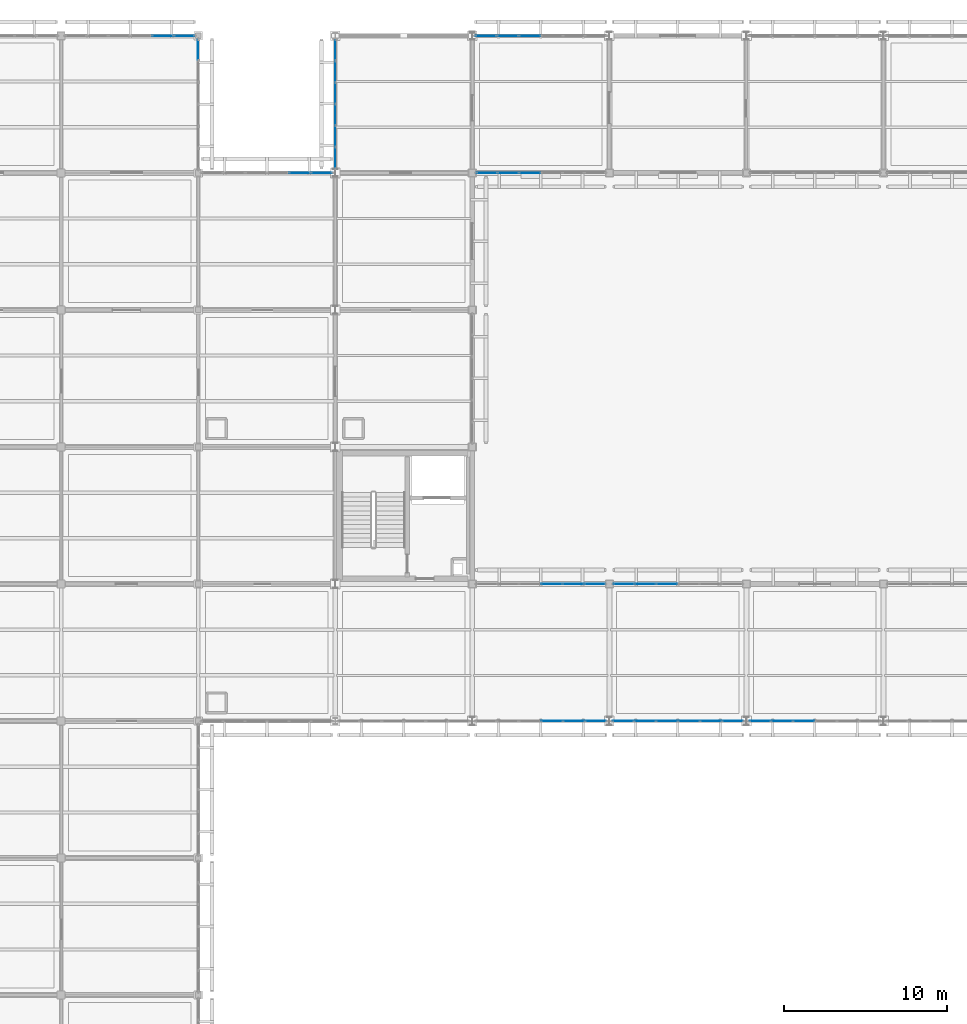
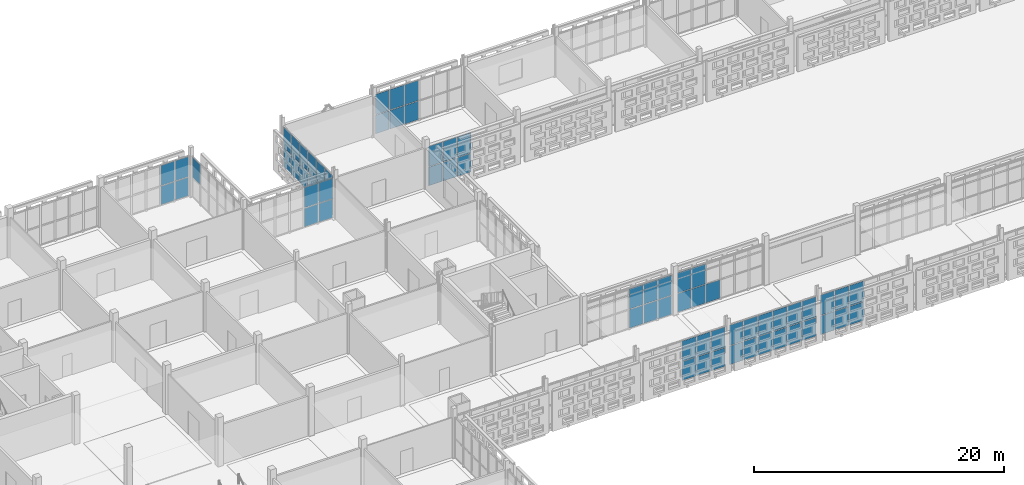
# One storey, part 97 of 203: 68 plates, 11 elements without a shape of their own.
"""IFC4 building model written with IfcOpenShell, lengths in metres."""

from ifc_helpers import new_model, si_unit, direction, frame, origin, origin_2d, place, context, subcontext, project, spatial, rectangle, extrude, material, layer, layer_set, type_object, element, aggregate, save


model = new_model("IFC4")

# Units and contexts
model_context = context("Model", 3, precision=1e-05, world=origin(), true_north=direction((0.0, 1.0)))
body_context = subcontext(model_context, "Body", "Model", "MODEL_VIEW")
ifc_project = project(units=[si_unit("LENGTHUNIT", "METRE"), si_unit("AREAUNIT", "SQUARE_METRE"), si_unit("VOLUMEUNIT", "CUBIC_METRE"), si_unit("PLANEANGLEUNIT", "RADIAN"), si_unit("MASSUNIT", "GRAM", prefix="KILO")], contexts=[model_context])

# Site, building, storey
site_placement = place(None, origin())
site = spatial("IfcSite", under=ifc_project, at=site_placement, CompositionType="ELEMENT")
building_placement = place(site_placement, origin())
building = spatial("IfcBuilding", under=site, at=building_placement, Name="Varnapada Polytechnic", CompositionType="ELEMENT")
storey_placement = place(building_placement, frame((0.0, 0.0, 4.800048828125)))
storey = spatial("IfcBuildingStorey", under=building, at=storey_placement, Name="L01", CompositionType="ELEMENT", Elevation=4.800048828125)

# Curtain wall, plates
ifc_material = material(Name="Double low-E laminated glass", Category="glass")
ifc_layer_1 = layer(ifc_material, 0.159912109375)
ifc_layer_set_1 = layer_set([ifc_layer_1], Name="Double low-E laminated glass")
curtain_wall_type_1 = type_object("IfcCurtainWallType", Name="Curtain Wall CW-02", PredefinedType="NOTDEFINED", material=ifc_layer_set_1)
curtain_wall_1_placement = place(storey_placement, origin())
curtain_wall_1 = element("IfcCurtainWall", 1, at=curtain_wall_1_placement, inside=storey, type_object=curtain_wall_type_1, Name="L01 unitised curtain wall CW-02 (54)", PredefinedType="NOTDEFINED")
ifc_layer_2 = layer(ifc_material, 0.028076171875)
ifc_layer_set_2 = layer_set([ifc_layer_2], Name="Double low-E laminated glass")
plate_type_1 = type_object("IfcPlateType", Name="Curtain Panel PNL-01", PredefinedType="CURTAIN_PANEL", material=ifc_layer_set_2)
plate_1_placement = place(storey_placement, frame((50.39990234375, 118.527587890625, 0.06005859375), z_axis=(0.0, 0.0, 1.0), x_axis=(0.0, 1.0, 0.0)))
plate_1 = element("IfcPlate", 2, at=plate_1_placement, type_object=plate_type_1, Name="CW-02 panel 1.1", PredefinedType="CURTAIN_PANEL", context=body_context, shape_type="SweptSolid", body=[
    extrude(rectangle(XDim=1.235107421875, YDim=0.028076171875, at=origin_2d()), origin(), (0.0, 0.0, 1.0), 1.810791015625),
])
plate_2_placement = place(storey_placement, frame((50.39990234375, 118.527587890625, 1.9306640625), z_axis=(0.0, 0.0, 1.0), x_axis=(0.0, 1.0, 0.0)))
plate_2 = element("IfcPlate", 3, at=plate_2_placement, type_object=plate_type_1, Name="CW-02 panel 1.2", PredefinedType="CURTAIN_PANEL", context=body_context, shape_type="SweptSolid", body=[
    extrude(rectangle(XDim=1.235107421875, YDim=0.028076171875, at=origin_2d()), origin(), (0.0, 0.0, 1.0), 1.96923828125),
])
plate_3_placement = place(storey_placement, frame((50.39990234375, 119.83740234375, 0.06005859375), z_axis=(0.0, 0.0, 1.0), x_axis=(0.0, 1.0, 0.0)))
plate_3 = element("IfcPlate", 4, at=plate_3_placement, type_object=plate_type_1, Name="CW-02 panel 2.1", PredefinedType="CURTAIN_PANEL", context=body_context, shape_type="SweptSolid", body=[
    extrude(rectangle(XDim=1.264892578125, YDim=0.028076171875, at=origin_2d()), origin(), (0.0, 0.0, 1.0), 1.810791015625),
])
plate_4_placement = place(storey_placement, frame((50.39990234375, 119.83740234375, 1.9306640625), z_axis=(0.0, 0.0, 1.0), x_axis=(0.0, 1.0, 0.0)))
plate_4 = element("IfcPlate", 5, at=plate_4_placement, type_object=plate_type_1, Name="CW-02 panel 2.2", PredefinedType="CURTAIN_PANEL", context=body_context, shape_type="SweptSolid", body=[
    extrude(rectangle(XDim=1.264892578125, YDim=0.028076171875, at=origin_2d()), origin(), (0.0, 0.0, 1.0), 1.96923828125),
])
plate_5_placement = place(storey_placement, frame((50.39990234375, 121.16259765625, 0.06005859375), z_axis=(0.0, 0.0, 1.0), x_axis=(0.0, 1.0, 0.0)))
plate_5 = element("IfcPlate", 6, at=plate_5_placement, type_object=plate_type_1, Name="CW-02 panel 3.1", PredefinedType="CURTAIN_PANEL", context=body_context, shape_type="SweptSolid", body=[
    extrude(rectangle(XDim=1.264892578125, YDim=0.028076171875, at=origin_2d()), origin(), (0.0, 0.0, 1.0), 1.810791015625),
])
plate_6_placement = place(storey_placement, frame((50.39990234375, 121.16259765625, 1.9306640625), z_axis=(0.0, 0.0, 1.0), x_axis=(0.0, 1.0, 0.0)))
plate_6 = element("IfcPlate", 7, at=plate_6_placement, type_object=plate_type_1, Name="CW-02 panel 3.2", PredefinedType="CURTAIN_PANEL", context=body_context, shape_type="SweptSolid", body=[
    extrude(rectangle(XDim=1.264892578125, YDim=0.028076171875, at=origin_2d()), origin(), (0.0, 0.0, 1.0), 1.96923828125),
])
plate_7_placement = place(storey_placement, frame((50.39990234375, 122.487548828125, 0.06005859375), z_axis=(0.0, 0.0, 1.0), x_axis=(0.0, 1.0, 0.0)))
plate_7 = element("IfcPlate", 8, at=plate_7_placement, type_object=plate_type_1, Name="CW-02 panel 4.1", PredefinedType="CURTAIN_PANEL", context=body_context, shape_type="SweptSolid", body=[
    extrude(rectangle(XDim=1.264892578125, YDim=0.028076171875, at=origin_2d()), origin(), (0.0, 0.0, 1.0), 1.810791015625),
])
plate_8_placement = place(storey_placement, frame((50.39990234375, 122.487548828125, 1.9306640625), z_axis=(0.0, 0.0, 1.0), x_axis=(0.0, 1.0, 0.0)))
plate_8 = element("IfcPlate", 9, at=plate_8_placement, type_object=plate_type_1, Name="CW-02 panel 4.2", PredefinedType="CURTAIN_PANEL", context=body_context, shape_type="SweptSolid", body=[
    extrude(rectangle(XDim=1.264892578125, YDim=0.028076171875, at=origin_2d()), origin(), (0.0, 0.0, 1.0), 1.96923828125),
])
plate_9_placement = place(storey_placement, frame((50.39990234375, 123.8125, 0.06005859375), z_axis=(0.0, 0.0, 1.0), x_axis=(0.0, 1.0, 0.0)))
plate_9 = element("IfcPlate", 10, at=plate_9_placement, type_object=plate_type_1, Name="CW-02 panel 5.1", PredefinedType="CURTAIN_PANEL", context=body_context, shape_type="SweptSolid", body=[
    extrude(rectangle(XDim=1.264892578125, YDim=0.028076171875, at=origin_2d()), origin(), (0.0, 0.0, 1.0), 1.810791015625),
])
plate_10_placement = place(storey_placement, frame((50.39990234375, 123.8125, 1.9306640625), z_axis=(0.0, 0.0, 1.0), x_axis=(0.0, 1.0, 0.0)))
plate_10 = element("IfcPlate", 11, at=plate_10_placement, type_object=plate_type_1, Name="CW-02 panel 5.2", PredefinedType="CURTAIN_PANEL", context=body_context, shape_type="SweptSolid", body=[
    extrude(rectangle(XDim=1.264892578125, YDim=0.028076171875, at=origin_2d()), origin(), (0.0, 0.0, 1.0), 1.96923828125),
])
plate_11_placement = place(storey_placement, frame((50.39990234375, 125.12255859375, 0.06005859375), z_axis=(0.0, 0.0, 1.0), x_axis=(0.0, 1.0, 0.0)))
plate_11 = element("IfcPlate", 12, at=plate_11_placement, type_object=plate_type_1, Name="CW-02 panel 6.1", PredefinedType="CURTAIN_PANEL", context=body_context, shape_type="SweptSolid", body=[
    extrude(rectangle(XDim=1.235107421875, YDim=0.028076171875, at=origin_2d()), origin(), (0.0, 0.0, 1.0), 1.810791015625),
])
plate_12_placement = place(storey_placement, frame((50.39990234375, 125.12255859375, 1.9306640625), z_axis=(0.0, 0.0, 1.0), x_axis=(0.0, 1.0, 0.0)))
plate_12 = element("IfcPlate", 13, at=plate_12_placement, type_object=plate_type_1, Name="CW-02 panel 6.2", PredefinedType="CURTAIN_PANEL", context=body_context, shape_type="SweptSolid", body=[
    extrude(rectangle(XDim=1.235107421875, YDim=0.028076171875, at=origin_2d()), origin(), (0.0, 0.0, 1.0), 1.96923828125),
])
aggregate(curtain_wall_1, [plate_1, plate_2, plate_3, plate_4, plate_5, plate_6, plate_7, plate_8, plate_9, plate_10, plate_11, plate_12])

ifc_layer_3 = layer(ifc_material, 0.159912109375)
ifc_layer_set_3 = layer_set([ifc_layer_3], Name="Double low-E laminated glass")
curtain_wall_type_2 = type_object("IfcCurtainWallType", Name="Curtain Wall CW-01", PredefinedType="NOTDEFINED", material=ifc_layer_set_3)
curtain_wall_2_placement = place(storey_placement, origin())
curtain_wall_2 = element("IfcCurtainWall", 14, at=curtain_wall_2_placement, inside=storey, type_object=curtain_wall_type_2, Name="L01 unitised curtain wall CW-01 (57)", PredefinedType="NOTDEFINED")
plate_13_placement = place(storey_placement, frame((66.360107421875, 84.0, 0.06005859375), z_axis=(0.0, 0.0, 1.0), x_axis=(-1.0, 0.0, 0.0)))
plate_13 = element("IfcPlate", 15, at=plate_13_placement, type_object=plate_type_1, Name="CW-01 panel 1.1", PredefinedType="CURTAIN_PANEL", context=body_context, shape_type="SweptSolid", body=[
    extrude(rectangle(XDim=1.260009765625, YDim=0.028076171875, at=origin_2d()), origin(), (0.0, 0.0, 1.0), 1.810791015625),
])
plate_14_placement = place(storey_placement, frame((66.360107421875, 84.0, 1.9306640625), z_axis=(0.0, 0.0, 1.0), x_axis=(-1.0, 0.0, 0.0)))
plate_14 = element("IfcPlate", 16, at=plate_14_placement, type_object=plate_type_1, Name="CW-01 panel 1.2", PredefinedType="CURTAIN_PANEL", context=body_context, shape_type="SweptSolid", body=[
    extrude(rectangle(XDim=1.260009765625, YDim=0.028076171875, at=origin_2d()), origin(), (0.0, 0.0, 1.0), 1.96923828125),
])
plate_15_placement = place(storey_placement, frame((65.02490234375, 84.0, 0.06005859375), z_axis=(0.0, 0.0, 1.0), x_axis=(-1.0, 0.0, 0.0)))
plate_15 = element("IfcPlate", 17, at=plate_15_placement, type_object=plate_type_1, Name="CW-01 panel 2.1", PredefinedType="CURTAIN_PANEL", context=body_context, shape_type="SweptSolid", body=[
    extrude(rectangle(XDim=1.2900390625, YDim=0.028076171875, at=origin_2d()), origin(), (0.0, 0.0, 1.0), 1.810791015625),
])
plate_16_placement = place(storey_placement, frame((65.02490234375, 84.0, 1.9306640625), z_axis=(0.0, 0.0, 1.0), x_axis=(-1.0, 0.0, 0.0)))
plate_16 = element("IfcPlate", 18, at=plate_16_placement, type_object=plate_type_1, Name="CW-01 panel 2.2", PredefinedType="CURTAIN_PANEL", context=body_context, shape_type="SweptSolid", body=[
    extrude(rectangle(XDim=1.2900390625, YDim=0.028076171875, at=origin_2d()), origin(), (0.0, 0.0, 1.0), 1.96923828125),
])
plate_17_placement = place(storey_placement, frame((63.675048828125, 84.0, 0.06005859375), z_axis=(0.0, 0.0, 1.0), x_axis=(-1.0, 0.0, 0.0)))
plate_17 = element("IfcPlate", 19, at=plate_17_placement, type_object=plate_type_1, Name="CW-01 panel 3.1", PredefinedType="CURTAIN_PANEL", context=body_context, shape_type="SweptSolid", body=[
    extrude(rectangle(XDim=1.2900390625, YDim=0.028076171875, at=origin_2d()), origin(), (0.0, 0.0, 1.0), 1.810791015625),
])
plate_18_placement = place(storey_placement, frame((63.675048828125, 84.0, 1.9306640625), z_axis=(0.0, 0.0, 1.0), x_axis=(-1.0, 0.0, 0.0)))
plate_18 = element("IfcPlate", 20, at=plate_18_placement, type_object=plate_type_1, Name="CW-01 panel 3.2", PredefinedType="CURTAIN_PANEL", context=body_context, shape_type="SweptSolid", body=[
    extrude(rectangle(XDim=1.2900390625, YDim=0.028076171875, at=origin_2d()), origin(), (0.0, 0.0, 1.0), 1.96923828125),
])
aggregate(curtain_wall_2, [plate_13, plate_14, plate_15, plate_16, plate_17, plate_18])

curtain_wall_3_placement = place(storey_placement, origin())
curtain_wall_3 = element("IfcCurtainWall", 21, at=curtain_wall_3_placement, inside=storey, type_object=curtain_wall_type_1, Name="L01 unitised curtain wall CW-02 (58)", PredefinedType="NOTDEFINED")
plate_19_placement = place(storey_placement, frame((63.6650390625, 92.39990234375, 0.06005859375), z_axis=(0.0, 0.0, 1.0), x_axis=(1.0, 0.0, 0.0)))
plate_19 = element("IfcPlate", 22, at=plate_19_placement, type_object=plate_type_1, Name="CW-02 panel 4.1", PredefinedType="CURTAIN_PANEL", context=body_context, shape_type="SweptSolid", body=[
    extrude(rectangle(XDim=1.27001953125, YDim=0.028076171875, at=origin_2d()), origin(), (0.0, 0.0, 1.0), 1.810791015625),
])
plate_20_placement = place(storey_placement, frame((63.6650390625, 92.39990234375, 1.9306640625), z_axis=(0.0, 0.0, 1.0), x_axis=(1.0, 0.0, 0.0)))
plate_20 = element("IfcPlate", 23, at=plate_20_placement, type_object=plate_type_1, Name="CW-02 panel 4.2", PredefinedType="CURTAIN_PANEL", context=body_context, shape_type="SweptSolid", body=[
    extrude(rectangle(XDim=1.27001953125, YDim=0.028076171875, at=origin_2d()), origin(), (0.0, 0.0, 1.0), 1.96923828125),
])
plate_21_placement = place(storey_placement, frame((64.9951171875, 92.39990234375, 0.06005859375), z_axis=(0.0, 0.0, 1.0), x_axis=(1.0, 0.0, 0.0)))
plate_21 = element("IfcPlate", 24, at=plate_21_placement, type_object=plate_type_1, Name="CW-02 panel 5.1", PredefinedType="CURTAIN_PANEL", context=body_context, shape_type="SweptSolid", body=[
    extrude(rectangle(XDim=1.27001953125, YDim=0.028076171875, at=origin_2d()), origin(), (0.0, 0.0, 1.0), 1.810791015625),
])
plate_22_placement = place(storey_placement, frame((64.9951171875, 92.39990234375, 1.9306640625), z_axis=(0.0, 0.0, 1.0), x_axis=(1.0, 0.0, 0.0)))
plate_22 = element("IfcPlate", 25, at=plate_22_placement, type_object=plate_type_1, Name="CW-02 panel 5.2", PredefinedType="CURTAIN_PANEL", context=body_context, shape_type="SweptSolid", body=[
    extrude(rectangle(XDim=1.27001953125, YDim=0.028076171875, at=origin_2d()), origin(), (0.0, 0.0, 1.0), 1.96923828125),
])
plate_23_placement = place(storey_placement, frame((66.31005859375, 92.39990234375, 0.06005859375), z_axis=(0.0, 0.0, 1.0), x_axis=(1.0, 0.0, 0.0)))
plate_23 = element("IfcPlate", 26, at=plate_23_placement, type_object=plate_type_1, Name="CW-02 panel 6.1", PredefinedType="CURTAIN_PANEL", context=body_context, shape_type="SweptSolid", body=[
    extrude(rectangle(XDim=1.239990234375, YDim=0.028076171875, at=origin_2d()), origin(), (0.0, 0.0, 1.0), 1.810791015625),
])
plate_24_placement = place(storey_placement, frame((66.31005859375, 92.39990234375, 1.9306640625), z_axis=(0.0, 0.0, 1.0), x_axis=(1.0, 0.0, 0.0)))
plate_24 = element("IfcPlate", 27, at=plate_24_placement, type_object=plate_type_1, Name="CW-02 panel 6.2", PredefinedType="CURTAIN_PANEL", context=body_context, shape_type="SweptSolid", body=[
    extrude(rectangle(XDim=1.239990234375, YDim=0.028076171875, at=origin_2d()), origin(), (0.0, 0.0, 1.0), 1.96923828125),
])
aggregate(curtain_wall_3, [plate_19, plate_20, plate_21, plate_22, plate_23, plate_24])

curtain_wall_4_placement = place(storey_placement, origin())
curtain_wall_4 = element("IfcCurtainWall", 28, at=curtain_wall_4_placement, inside=storey, type_object=curtain_wall_type_1, Name="L01 unitised curtain wall CW-02 (59)", PredefinedType="NOTDEFINED")
plate_25_placement = place(storey_placement, frame((62.3349609375, 117.60009765625, 0.06005859375), z_axis=(0.0, 0.0, 1.0), x_axis=(-1.0, 0.0, 0.0)))
plate_25 = element("IfcPlate", 29, at=plate_25_placement, type_object=plate_type_1, Name="CW-02 panel 4.1", PredefinedType="CURTAIN_PANEL", context=body_context, shape_type="SweptSolid", body=[
    extrude(rectangle(XDim=1.27001953125, YDim=0.028076171875, at=origin_2d()), origin(), (0.0, 0.0, 1.0), 1.810791015625),
])
plate_26_placement = place(storey_placement, frame((62.3349609375, 117.60009765625, 1.9306640625), z_axis=(0.0, 0.0, 1.0), x_axis=(-1.0, 0.0, 0.0)))
plate_26 = element("IfcPlate", 30, at=plate_26_placement, type_object=plate_type_1, Name="CW-02 panel 4.2", PredefinedType="CURTAIN_PANEL", context=body_context, shape_type="SweptSolid", body=[
    extrude(rectangle(XDim=1.27001953125, YDim=0.028076171875, at=origin_2d()), origin(), (0.0, 0.0, 1.0), 1.96923828125),
])
plate_27_placement = place(storey_placement, frame((61.0048828125, 117.60009765625, 0.06005859375), z_axis=(0.0, 0.0, 1.0), x_axis=(-1.0, 0.0, 0.0)))
plate_27 = element("IfcPlate", 31, at=plate_27_placement, type_object=plate_type_1, Name="CW-02 panel 5.1", PredefinedType="CURTAIN_PANEL", context=body_context, shape_type="SweptSolid", body=[
    extrude(rectangle(XDim=1.27001953125, YDim=0.028076171875, at=origin_2d()), origin(), (0.0, 0.0, 1.0), 1.810791015625),
])
plate_28_placement = place(storey_placement, frame((61.0048828125, 117.60009765625, 1.9306640625), z_axis=(0.0, 0.0, 1.0), x_axis=(-1.0, 0.0, 0.0)))
plate_28 = element("IfcPlate", 32, at=plate_28_placement, type_object=plate_type_1, Name="CW-02 panel 5.2", PredefinedType="CURTAIN_PANEL", context=body_context, shape_type="SweptSolid", body=[
    extrude(rectangle(XDim=1.27001953125, YDim=0.028076171875, at=origin_2d()), origin(), (0.0, 0.0, 1.0), 1.96923828125),
])
plate_29_placement = place(storey_placement, frame((59.68994140625, 117.60009765625, 0.06005859375), z_axis=(0.0, 0.0, 1.0), x_axis=(-1.0, 0.0, 0.0)))
plate_29 = element("IfcPlate", 33, at=plate_29_placement, type_object=plate_type_1, Name="CW-02 panel 6.1", PredefinedType="CURTAIN_PANEL", context=body_context, shape_type="SweptSolid", body=[
    extrude(rectangle(XDim=1.239990234375, YDim=0.028076171875, at=origin_2d()), origin(), (0.0, 0.0, 1.0), 1.810791015625),
])
plate_30_placement = place(storey_placement, frame((59.68994140625, 117.60009765625, 1.9306640625), z_axis=(0.0, 0.0, 1.0), x_axis=(-1.0, 0.0, 0.0)))
plate_30 = element("IfcPlate", 34, at=plate_30_placement, type_object=plate_type_1, Name="CW-02 panel 6.2", PredefinedType="CURTAIN_PANEL", context=body_context, shape_type="SweptSolid", body=[
    extrude(rectangle(XDim=1.239990234375, YDim=0.028076171875, at=origin_2d()), origin(), (0.0, 0.0, 1.0), 1.96923828125),
])
aggregate(curtain_wall_4, [plate_25, plate_26, plate_27, plate_28, plate_29, plate_30])

curtain_wall_5_placement = place(storey_placement, origin())
curtain_wall_5 = element("IfcCurtainWall", 35, at=curtain_wall_5_placement, inside=storey, type_object=curtain_wall_type_1, Name="L01 unitised curtain wall CW-02 (60)", PredefinedType="NOTDEFINED")
plate_31_placement = place(storey_placement, frame((59.639892578125, 126.0, 0.06005859375), z_axis=(0.0, 0.0, 1.0), x_axis=(1.0, 0.0, 0.0)))
plate_31 = element("IfcPlate", 36, at=plate_31_placement, type_object=plate_type_1, Name="CW-02 panel 1.1", PredefinedType="CURTAIN_PANEL", context=body_context, shape_type="SweptSolid", body=[
    extrude(rectangle(XDim=1.260009765625, YDim=0.028076171875, at=origin_2d()), origin(), (0.0, 0.0, 1.0), 1.810791015625),
])
plate_32_placement = place(storey_placement, frame((59.639892578125, 126.0, 1.9306640625), z_axis=(0.0, 0.0, 1.0), x_axis=(1.0, 0.0, 0.0)))
plate_32 = element("IfcPlate", 37, at=plate_32_placement, type_object=plate_type_1, Name="CW-02 panel 1.2", PredefinedType="CURTAIN_PANEL", context=body_context, shape_type="SweptSolid", body=[
    extrude(rectangle(XDim=1.260009765625, YDim=0.028076171875, at=origin_2d()), origin(), (0.0, 0.0, 1.0), 1.96923828125),
])
plate_33_placement = place(storey_placement, frame((60.97509765625, 126.0, 0.06005859375), z_axis=(0.0, 0.0, 1.0), x_axis=(1.0, 0.0, 0.0)))
plate_33 = element("IfcPlate", 38, at=plate_33_placement, type_object=plate_type_1, Name="CW-02 panel 2.1", PredefinedType="CURTAIN_PANEL", context=body_context, shape_type="SweptSolid", body=[
    extrude(rectangle(XDim=1.2900390625, YDim=0.028076171875, at=origin_2d()), origin(), (0.0, 0.0, 1.0), 1.810791015625),
])
plate_34_placement = place(storey_placement, frame((60.97509765625, 126.0, 1.9306640625), z_axis=(0.0, 0.0, 1.0), x_axis=(1.0, 0.0, 0.0)))
plate_34 = element("IfcPlate", 39, at=plate_34_placement, type_object=plate_type_1, Name="CW-02 panel 2.2", PredefinedType="CURTAIN_PANEL", context=body_context, shape_type="SweptSolid", body=[
    extrude(rectangle(XDim=1.2900390625, YDim=0.028076171875, at=origin_2d()), origin(), (0.0, 0.0, 1.0), 1.96923828125),
])
plate_35_placement = place(storey_placement, frame((62.324951171875, 126.0, 0.06005859375), z_axis=(0.0, 0.0, 1.0), x_axis=(1.0, 0.0, 0.0)))
plate_35 = element("IfcPlate", 40, at=plate_35_placement, type_object=plate_type_1, Name="CW-02 panel 3.1", PredefinedType="CURTAIN_PANEL", context=body_context, shape_type="SweptSolid", body=[
    extrude(rectangle(XDim=1.2900390625, YDim=0.028076171875, at=origin_2d()), origin(), (0.0, 0.0, 1.0), 1.810791015625),
])
plate_36_placement = place(storey_placement, frame((62.324951171875, 126.0, 1.9306640625), z_axis=(0.0, 0.0, 1.0), x_axis=(1.0, 0.0, 0.0)))
plate_36 = element("IfcPlate", 41, at=plate_36_placement, type_object=plate_type_1, Name="CW-02 panel 3.2", PredefinedType="CURTAIN_PANEL", context=body_context, shape_type="SweptSolid", body=[
    extrude(rectangle(XDim=1.2900390625, YDim=0.028076171875, at=origin_2d()), origin(), (0.0, 0.0, 1.0), 1.96923828125),
])
aggregate(curtain_wall_5, [plate_31, plate_32, plate_33, plate_34, plate_35, plate_36])

curtain_wall_6_placement = place(storey_placement, origin())
curtain_wall_6 = element("IfcCurtainWall", 42, at=curtain_wall_6_placement, inside=storey, type_object=curtain_wall_type_2, Name="L01 unitised curtain wall CW-01 (62)", PredefinedType="NOTDEFINED")
plate_37_placement = place(storey_placement, frame((74.760009765625, 84.0, 0.06005859375), z_axis=(0.0, 0.0, 1.0), x_axis=(-1.0, 0.0, 0.0)))
plate_37 = element("IfcPlate", 43, at=plate_37_placement, type_object=plate_type_1, Name="CW-01 panel 1.1", PredefinedType="CURTAIN_PANEL", context=body_context, shape_type="SweptSolid", body=[
    extrude(rectangle(XDim=1.260009765625, YDim=0.028076171875, at=origin_2d()), origin(), (0.0, 0.0, 1.0), 1.810791015625),
])
plate_38_placement = place(storey_placement, frame((74.760009765625, 84.0, 1.9306640625), z_axis=(0.0, 0.0, 1.0), x_axis=(-1.0, 0.0, 0.0)))
plate_38 = element("IfcPlate", 44, at=plate_38_placement, type_object=plate_type_1, Name="CW-01 panel 1.2", PredefinedType="CURTAIN_PANEL", context=body_context, shape_type="SweptSolid", body=[
    extrude(rectangle(XDim=1.260009765625, YDim=0.028076171875, at=origin_2d()), origin(), (0.0, 0.0, 1.0), 1.96923828125),
])
plate_39_placement = place(storey_placement, frame((73.425048828125, 84.0, 0.06005859375), z_axis=(0.0, 0.0, 1.0), x_axis=(-1.0, 0.0, 0.0)))
plate_39 = element("IfcPlate", 45, at=plate_39_placement, type_object=plate_type_1, Name="CW-01 panel 2.1", PredefinedType="CURTAIN_PANEL", context=body_context, shape_type="SweptSolid", body=[
    extrude(rectangle(XDim=1.2900390625, YDim=0.028076171875, at=origin_2d()), origin(), (0.0, 0.0, 1.0), 1.810791015625),
])
plate_40_placement = place(storey_placement, frame((73.425048828125, 84.0, 1.9306640625), z_axis=(0.0, 0.0, 1.0), x_axis=(-1.0, 0.0, 0.0)))
plate_40 = element("IfcPlate", 46, at=plate_40_placement, type_object=plate_type_1, Name="CW-01 panel 2.2", PredefinedType="CURTAIN_PANEL", context=body_context, shape_type="SweptSolid", body=[
    extrude(rectangle(XDim=1.2900390625, YDim=0.028076171875, at=origin_2d()), origin(), (0.0, 0.0, 1.0), 1.96923828125),
])
plate_41_placement = place(storey_placement, frame((72.074951171875, 84.0, 0.06005859375), z_axis=(0.0, 0.0, 1.0), x_axis=(-1.0, 0.0, 0.0)))
plate_41 = element("IfcPlate", 47, at=plate_41_placement, type_object=plate_type_1, Name="CW-01 panel 3.1", PredefinedType="CURTAIN_PANEL", context=body_context, shape_type="SweptSolid", body=[
    extrude(rectangle(XDim=1.2900390625, YDim=0.028076171875, at=origin_2d()), origin(), (0.0, 0.0, 1.0), 1.810791015625),
])
plate_42_placement = place(storey_placement, frame((72.074951171875, 84.0, 1.9306640625), z_axis=(0.0, 0.0, 1.0), x_axis=(-1.0, 0.0, 0.0)))
plate_42 = element("IfcPlate", 48, at=plate_42_placement, type_object=plate_type_1, Name="CW-01 panel 3.2", PredefinedType="CURTAIN_PANEL", context=body_context, shape_type="SweptSolid", body=[
    extrude(rectangle(XDim=1.2900390625, YDim=0.028076171875, at=origin_2d()), origin(), (0.0, 0.0, 1.0), 1.96923828125),
])
plate_43_placement = place(storey_placement, frame((70.72509765625, 84.0, 0.06005859375), z_axis=(0.0, 0.0, 1.0), x_axis=(-1.0, 0.0, 0.0)))
plate_43 = element("IfcPlate", 49, at=plate_43_placement, type_object=plate_type_1, Name="CW-01 panel 4.1", PredefinedType="CURTAIN_PANEL", context=body_context, shape_type="SweptSolid", body=[
    extrude(rectangle(XDim=1.2900390625, YDim=0.028076171875, at=origin_2d()), origin(), (0.0, 0.0, 1.0), 1.810791015625),
])
plate_44_placement = place(storey_placement, frame((70.72509765625, 84.0, 1.9306640625), z_axis=(0.0, 0.0, 1.0), x_axis=(-1.0, 0.0, 0.0)))
plate_44 = element("IfcPlate", 50, at=plate_44_placement, type_object=plate_type_1, Name="CW-01 panel 4.2", PredefinedType="CURTAIN_PANEL", context=body_context, shape_type="SweptSolid", body=[
    extrude(rectangle(XDim=1.2900390625, YDim=0.028076171875, at=origin_2d()), origin(), (0.0, 0.0, 1.0), 1.96923828125),
])
plate_45_placement = place(storey_placement, frame((69.375, 84.0, 0.06005859375), z_axis=(0.0, 0.0, 1.0), x_axis=(-1.0, 0.0, 0.0)))
plate_45 = element("IfcPlate", 51, at=plate_45_placement, type_object=plate_type_1, Name="CW-01 panel 5.1", PredefinedType="CURTAIN_PANEL", context=body_context, shape_type="SweptSolid", body=[
    extrude(rectangle(XDim=1.2900390625, YDim=0.028076171875, at=origin_2d()), origin(), (0.0, 0.0, 1.0), 1.810791015625),
])
plate_46_placement = place(storey_placement, frame((69.375, 84.0, 1.9306640625), z_axis=(0.0, 0.0, 1.0), x_axis=(-1.0, 0.0, 0.0)))
plate_46 = element("IfcPlate", 52, at=plate_46_placement, type_object=plate_type_1, Name="CW-01 panel 5.2", PredefinedType="CURTAIN_PANEL", context=body_context, shape_type="SweptSolid", body=[
    extrude(rectangle(XDim=1.2900390625, YDim=0.028076171875, at=origin_2d()), origin(), (0.0, 0.0, 1.0), 1.96923828125),
])
plate_47_placement = place(storey_placement, frame((68.0400390625, 84.0, 0.06005859375), z_axis=(0.0, 0.0, 1.0), x_axis=(-1.0, 0.0, 0.0)))
plate_47 = element("IfcPlate", 53, at=plate_47_placement, type_object=plate_type_1, Name="CW-01 panel 6.1", PredefinedType="CURTAIN_PANEL", context=body_context, shape_type="SweptSolid", body=[
    extrude(rectangle(XDim=1.260009765625, YDim=0.028076171875, at=origin_2d()), origin(), (0.0, 0.0, 1.0), 1.810791015625),
])
plate_48_placement = place(storey_placement, frame((68.0400390625, 84.0, 1.9306640625), z_axis=(0.0, 0.0, 1.0), x_axis=(-1.0, 0.0, 0.0)))
plate_48 = element("IfcPlate", 54, at=plate_48_placement, type_object=plate_type_1, Name="CW-01 panel 6.2", PredefinedType="CURTAIN_PANEL", context=body_context, shape_type="SweptSolid", body=[
    extrude(rectangle(XDim=1.260009765625, YDim=0.028076171875, at=origin_2d()), origin(), (0.0, 0.0, 1.0), 1.96923828125),
])
aggregate(curtain_wall_6, [plate_37, plate_38, plate_39, plate_40, plate_41, plate_42, plate_43, plate_44, plate_45, plate_46, plate_47, plate_48])

curtain_wall_7_placement = place(storey_placement, origin())
curtain_wall_7 = element("IfcCurtainWall", 55, at=curtain_wall_7_placement, inside=storey, type_object=curtain_wall_type_1, Name="L01 unitised curtain wall CW-02 (63)", PredefinedType="NOTDEFINED")
plate_49_placement = place(storey_placement, frame((68.090087890625, 92.39990234375, 0.06005859375), z_axis=(0.0, 0.0, 1.0), x_axis=(1.0, 0.0, 0.0)))
plate_49 = element("IfcPlate", 56, at=plate_49_placement, type_object=plate_type_1, Name="CW-02 panel 1.1", PredefinedType="CURTAIN_PANEL", context=body_context, shape_type="SweptSolid", body=[
    extrude(rectangle(XDim=1.239990234375, YDim=0.028076171875, at=origin_2d()), origin(), (0.0, 0.0, 1.0), 1.810791015625),
])
plate_50_placement = place(storey_placement, frame((68.090087890625, 92.39990234375, 1.9306640625), z_axis=(0.0, 0.0, 1.0), x_axis=(1.0, 0.0, 0.0)))
plate_50 = element("IfcPlate", 57, at=plate_50_placement, type_object=plate_type_1, Name="CW-02 panel 1.2", PredefinedType="CURTAIN_PANEL", context=body_context, shape_type="SweptSolid", body=[
    extrude(rectangle(XDim=1.239990234375, YDim=0.028076171875, at=origin_2d()), origin(), (0.0, 0.0, 1.0), 1.96923828125),
])
plate_51_placement = place(storey_placement, frame((69.405029296875, 92.39990234375, 0.06005859375), z_axis=(0.0, 0.0, 1.0), x_axis=(1.0, 0.0, 0.0)))
plate_51 = element("IfcPlate", 58, at=plate_51_placement, type_object=plate_type_1, Name="CW-02 panel 2.1", PredefinedType="CURTAIN_PANEL", context=body_context, shape_type="SweptSolid", body=[
    extrude(rectangle(XDim=1.27001953125, YDim=0.028076171875, at=origin_2d()), origin(), (0.0, 0.0, 1.0), 1.810791015625),
])
plate_52_placement = place(storey_placement, frame((69.405029296875, 92.39990234375, 1.9306640625), z_axis=(0.0, 0.0, 1.0), x_axis=(1.0, 0.0, 0.0)))
plate_52 = element("IfcPlate", 59, at=plate_52_placement, type_object=plate_type_1, Name="CW-02 panel 2.2", PredefinedType="CURTAIN_PANEL", context=body_context, shape_type="SweptSolid", body=[
    extrude(rectangle(XDim=1.27001953125, YDim=0.028076171875, at=origin_2d()), origin(), (0.0, 0.0, 1.0), 1.96923828125),
])
plate_53_placement = place(storey_placement, frame((70.735107421875, 92.39990234375, 0.06005859375), z_axis=(0.0, 0.0, 1.0), x_axis=(1.0, 0.0, 0.0)))
plate_53 = element("IfcPlate", 60, at=plate_53_placement, type_object=plate_type_1, Name="CW-02 panel 3.1", PredefinedType="CURTAIN_PANEL", context=body_context, shape_type="SweptSolid", body=[
    extrude(rectangle(XDim=1.27001953125, YDim=0.028076171875, at=origin_2d()), origin(), (0.0, 0.0, 1.0), 1.810791015625),
])
aggregate(curtain_wall_7, [plate_49, plate_50, plate_51, plate_52, plate_53])

curtain_wall_8_placement = place(storey_placement, origin())
curtain_wall_8 = element("IfcCurtainWall", 61, at=curtain_wall_8_placement, inside=storey, type_object=curtain_wall_type_2, Name="L01 unitised curtain wall CW-01 (66)", PredefinedType="NOTDEFINED")
plate_54_placement = place(storey_placement, frame((79.125, 84.0, 0.06005859375), z_axis=(0.0, 0.0, 1.0), x_axis=(-1.0, 0.0, 0.0)))
plate_54 = element("IfcPlate", 62, at=plate_54_placement, type_object=plate_type_1, Name="CW-01 panel 4.1", PredefinedType="CURTAIN_PANEL", context=body_context, shape_type="SweptSolid", body=[
    extrude(rectangle(XDim=1.2900390625, YDim=0.028076171875, at=origin_2d()), origin(), (0.0, 0.0, 1.0), 1.810791015625),
])
plate_55_placement = place(storey_placement, frame((79.125, 84.0, 1.9306640625), z_axis=(0.0, 0.0, 1.0), x_axis=(-1.0, 0.0, 0.0)))
plate_55 = element("IfcPlate", 63, at=plate_55_placement, type_object=plate_type_1, Name="CW-01 panel 4.2", PredefinedType="CURTAIN_PANEL", context=body_context, shape_type="SweptSolid", body=[
    extrude(rectangle(XDim=1.2900390625, YDim=0.028076171875, at=origin_2d()), origin(), (0.0, 0.0, 1.0), 1.96923828125),
])
plate_56_placement = place(storey_placement, frame((77.77490234375, 84.0, 0.06005859375), z_axis=(0.0, 0.0, 1.0), x_axis=(-1.0, 0.0, 0.0)))
plate_56 = element("IfcPlate", 64, at=plate_56_placement, type_object=plate_type_1, Name="CW-01 panel 5.1", PredefinedType="CURTAIN_PANEL", context=body_context, shape_type="SweptSolid", body=[
    extrude(rectangle(XDim=1.2900390625, YDim=0.028076171875, at=origin_2d()), origin(), (0.0, 0.0, 1.0), 1.810791015625),
])
plate_57_placement = place(storey_placement, frame((77.77490234375, 84.0, 1.9306640625), z_axis=(0.0, 0.0, 1.0), x_axis=(-1.0, 0.0, 0.0)))
plate_57 = element("IfcPlate", 65, at=plate_57_placement, type_object=plate_type_1, Name="CW-01 panel 5.2", PredefinedType="CURTAIN_PANEL", context=body_context, shape_type="SweptSolid", body=[
    extrude(rectangle(XDim=1.2900390625, YDim=0.028076171875, at=origin_2d()), origin(), (0.0, 0.0, 1.0), 1.96923828125),
])
plate_58_placement = place(storey_placement, frame((76.43994140625, 84.0, 0.06005859375), z_axis=(0.0, 0.0, 1.0), x_axis=(-1.0, 0.0, 0.0)))
plate_58 = element("IfcPlate", 66, at=plate_58_placement, type_object=plate_type_1, Name="CW-01 panel 6.1", PredefinedType="CURTAIN_PANEL", context=body_context, shape_type="SweptSolid", body=[
    extrude(rectangle(XDim=1.260009765625, YDim=0.028076171875, at=origin_2d()), origin(), (0.0, 0.0, 1.0), 1.810791015625),
])
plate_59_placement = place(storey_placement, frame((76.43994140625, 84.0, 1.9306640625), z_axis=(0.0, 0.0, 1.0), x_axis=(-1.0, 0.0, 0.0)))
plate_59 = element("IfcPlate", 67, at=plate_59_placement, type_object=plate_type_1, Name="CW-01 panel 6.2", PredefinedType="CURTAIN_PANEL", context=body_context, shape_type="SweptSolid", body=[
    extrude(rectangle(XDim=1.260009765625, YDim=0.028076171875, at=origin_2d()), origin(), (0.0, 0.0, 1.0), 1.96923828125),
])
aggregate(curtain_wall_8, [plate_54, plate_55, plate_56, plate_57, plate_58, plate_59])

ifc_layer_4 = layer(ifc_material, 0.179931640625)
ifc_layer_set_4 = layer_set([ifc_layer_4], Name="Double low-E laminated glass")
curtain_wall_type_3 = type_object("IfcCurtainWallType", Name="Curtain Wall CW-03", PredefinedType="NOTDEFINED", material=ifc_layer_set_4)
curtain_wall_9_placement = place(storey_placement, origin())
curtain_wall_9 = element("IfcCurtainWall", 68, at=curtain_wall_9_placement, inside=storey, type_object=curtain_wall_type_3, Name="L01 unitised curtain wall CW-03 (41)", PredefinedType="NOTDEFINED")
ifc_layer_5 = layer(ifc_material, 0.031982421875)
ifc_layer_set_5 = layer_set([ifc_layer_5], Name="Double low-E laminated glass")
plate_type_2 = type_object("IfcPlateType", Name="Curtain Panel PNL-02", PredefinedType="CURTAIN_PANEL", material=ifc_layer_set_5)
plate_60_placement = place(storey_placement, frame((39.827392578125, 126.0, 0.06494140625), z_axis=(0.0, 0.0, 1.0), x_axis=(1.0, 0.0, 0.0)))
plate_60 = element("IfcPlate", 69, at=plate_60_placement, type_object=plate_type_2, Name="CW-03 panel 5.1", PredefinedType="CURTAIN_PANEL", context=body_context, shape_type="SweptSolid", body=[
    extrude(rectangle(XDim=1.27001953125, YDim=0.031982421875, at=origin_2d()), origin(), (0.0, 0.0, 1.0), 1.80322265625),
])
plate_61_placement = place(storey_placement, frame((39.827392578125, 126.0, 1.93310546875), z_axis=(0.0, 0.0, 1.0), x_axis=(1.0, 0.0, 0.0)))
plate_61 = element("IfcPlate", 70, at=plate_61_placement, type_object=plate_type_2, Name="CW-03 panel 5.2", PredefinedType="CURTAIN_PANEL", context=body_context, shape_type="SweptSolid", body=[
    extrude(rectangle(XDim=1.27001953125, YDim=0.031982421875, at=origin_2d()), origin(), (0.0, 0.0, 1.0), 1.961669921875),
])
plate_62_placement = place(storey_placement, frame((41.146240234375, 126.0, 0.06494140625), z_axis=(0.0, 0.0, 1.0), x_axis=(1.0, 0.0, 0.0)))
plate_62 = element("IfcPlate", 71, at=plate_62_placement, type_object=plate_type_2, Name="CW-03 panel 6.1", PredefinedType="CURTAIN_PANEL", context=body_context, shape_type="SweptSolid", body=[
    extrude(rectangle(XDim=1.237548828125, YDim=0.031982421875, at=origin_2d()), origin(), (0.0, 0.0, 1.0), 1.80322265625),
])
plate_63_placement = place(storey_placement, frame((41.146240234375, 126.0, 1.93310546875), z_axis=(0.0, 0.0, 1.0), x_axis=(1.0, 0.0, 0.0)))
plate_63 = element("IfcPlate", 72, at=plate_63_placement, type_object=plate_type_2, Name="CW-03 panel 6.2", PredefinedType="CURTAIN_PANEL", context=body_context, shape_type="SweptSolid", body=[
    extrude(rectangle(XDim=1.237548828125, YDim=0.031982421875, at=origin_2d()), origin(), (0.0, 0.0, 1.0), 1.961669921875),
])
aggregate(curtain_wall_9, [plate_60, plate_61, plate_62, plate_63])

# Curtain wall, plate
curtain_wall_10_placement = place(storey_placement, origin())
curtain_wall_10 = element("IfcCurtainWall", 73, at=curtain_wall_10_placement, inside=storey, type_object=curtain_wall_type_3, Name="L01 unitised curtain wall CW-03 (42)", PredefinedType="NOTDEFINED")
plate_64_placement = place(storey_placement, frame((42.0, 125.142822265625, 1.93310546875), z_axis=(0.0, 0.0, 1.0), x_axis=(0.0, -1.0, 0.0)))
plate_64 = element("IfcPlate", 74, at=plate_64_placement, type_object=plate_type_2, Name="CW-03 panel 1.2", PredefinedType="CURTAIN_PANEL", context=body_context, shape_type="SweptSolid", body=[
    extrude(rectangle(XDim=1.244140625, YDim=0.031982421875, at=origin_2d()), origin(), (0.0, 0.0, 1.0), 1.961669921875),
])
aggregate(curtain_wall_10, [plate_64])

# Curtain wall, plates
curtain_wall_11_placement = place(storey_placement, origin())
curtain_wall_11 = element("IfcCurtainWall", 75, at=curtain_wall_11_placement, inside=storey, type_object=curtain_wall_type_3, Name="L01 unitised curtain wall CW-03 (47)", PredefinedType="NOTDEFINED")
plate_65_placement = place(storey_placement, frame((48.232421875, 117.60009765625, 0.06494140625), z_axis=(0.0, 0.0, 1.0), x_axis=(1.0, 0.0, 0.0)))
plate_65 = element("IfcPlate", 76, at=plate_65_placement, type_object=plate_type_2, Name="CW-03 panel 5.1", PredefinedType="CURTAIN_PANEL", context=body_context, shape_type="SweptSolid", body=[
    extrude(rectangle(XDim=1.280029296875, YDim=0.031982421875, at=origin_2d()), origin(), (0.0, 0.0, 1.0), 1.80322265625),
])
plate_66_placement = place(storey_placement, frame((48.232421875, 117.60009765625, 1.93310546875), z_axis=(0.0, 0.0, 1.0), x_axis=(1.0, 0.0, 0.0)))
plate_66 = element("IfcPlate", 77, at=plate_66_placement, type_object=plate_type_2, Name="CW-03 panel 5.2", PredefinedType="CURTAIN_PANEL", context=body_context, shape_type="SweptSolid", body=[
    extrude(rectangle(XDim=1.280029296875, YDim=0.031982421875, at=origin_2d()), origin(), (0.0, 0.0, 1.0), 1.961669921875),
])
plate_67_placement = place(storey_placement, frame((49.561279296875, 117.60009765625, 0.06494140625), z_axis=(0.0, 0.0, 1.0), x_axis=(1.0, 0.0, 0.0)))
plate_67 = element("IfcPlate", 78, at=plate_67_placement, type_object=plate_type_2, Name="CW-03 panel 6.1", PredefinedType="CURTAIN_PANEL", context=body_context, shape_type="SweptSolid", body=[
    extrude(rectangle(XDim=1.24755859375, YDim=0.031982421875, at=origin_2d()), origin(), (0.0, 0.0, 1.0), 1.80322265625),
])
plate_68_placement = place(storey_placement, frame((49.561279296875, 117.60009765625, 1.93310546875), z_axis=(0.0, 0.0, 1.0), x_axis=(1.0, 0.0, 0.0)))
plate_68 = element("IfcPlate", 79, at=plate_68_placement, type_object=plate_type_2, Name="CW-03 panel 6.2", PredefinedType="CURTAIN_PANEL", context=body_context, shape_type="SweptSolid", body=[
    extrude(rectangle(XDim=1.24755859375, YDim=0.031982421875, at=origin_2d()), origin(), (0.0, 0.0, 1.0), 1.961669921875),
])
aggregate(curtain_wall_11, [plate_65, plate_66, plate_67, plate_68])

save(model, "model.ifc")
